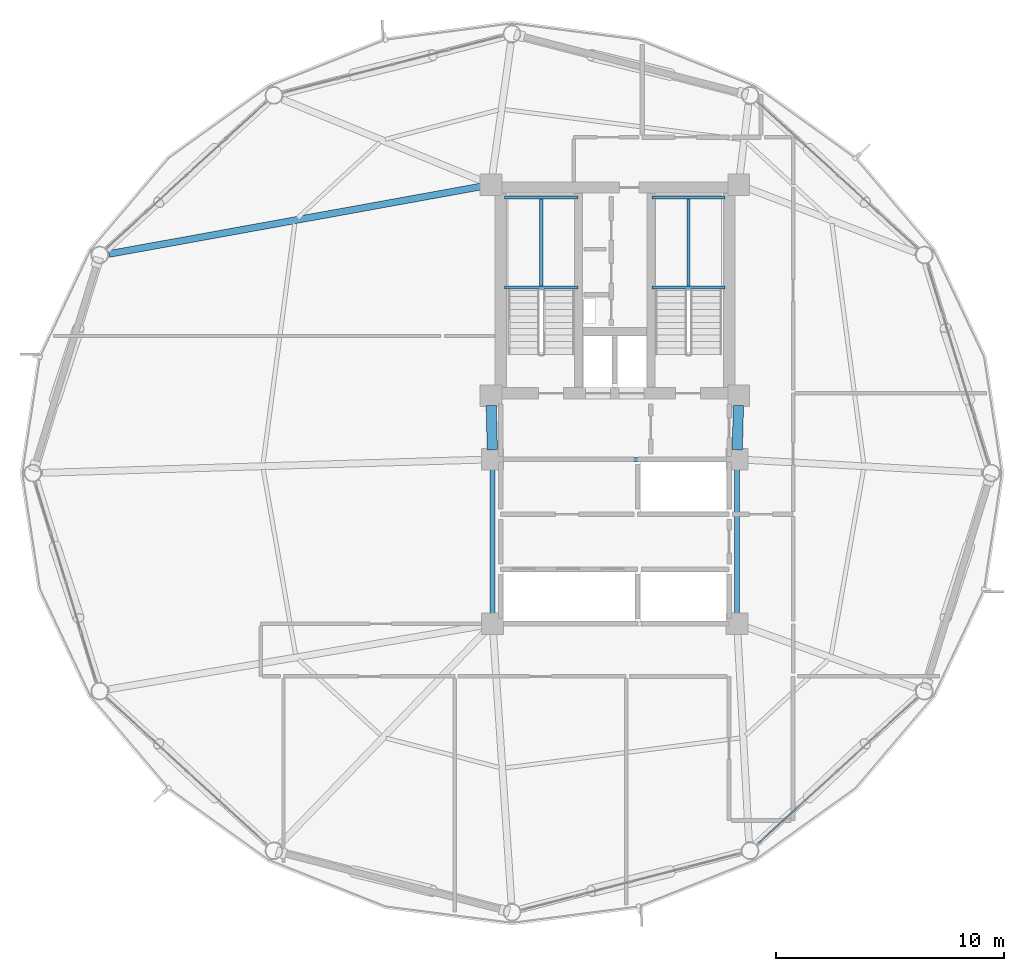
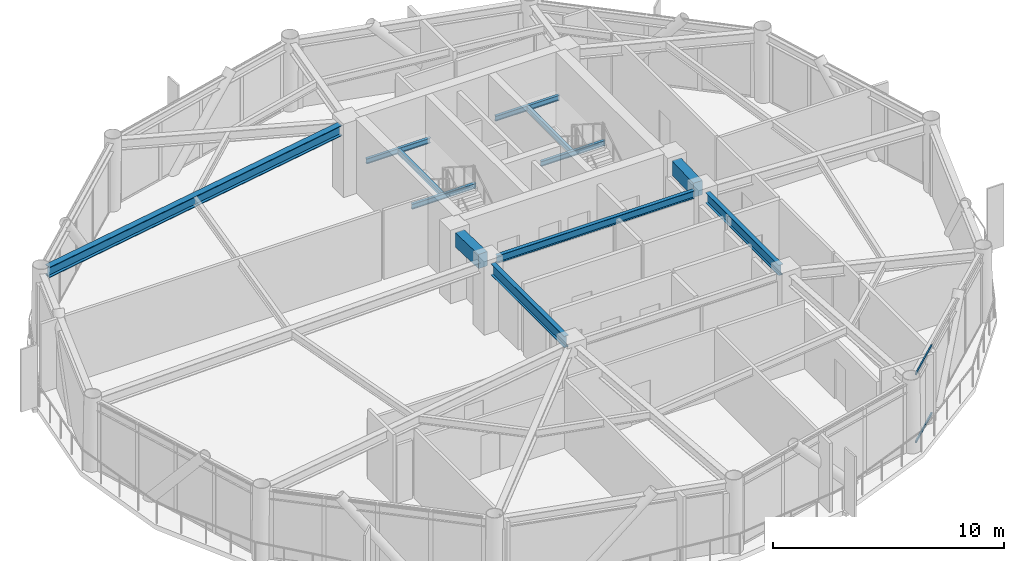
# One storey, part 12 of 26: 12 beams, 2 members, 1 element without a shape of its own.
"""IFC4 building model written with IfcOpenShell, lengths in metres."""

from ifc_helpers import new_model, si_unit, direction, frame, origin, origin_2d, place, context, subcontext, project, spatial, rectangle, hollow_rectangle, i_section, extrude, material, layer, layer_set, material_profile, profile_set, type_object, element, aggregate, save


model = new_model("IFC4")

# Units and contexts
model_context = context("Model", 3, precision=1e-05, world=origin(), true_north=direction((0.0, 1.0)))
body_context = subcontext(model_context, "Body", "Model", "MODEL_VIEW")
ifc_project = project(units=[si_unit("LENGTHUNIT", "METRE"), si_unit("AREAUNIT", "SQUARE_METRE"), si_unit("VOLUMEUNIT", "CUBIC_METRE"), si_unit("PLANEANGLEUNIT", "RADIAN"), si_unit("MASSUNIT", "GRAM", prefix="KILO")], contexts=[model_context])

# Site, building, storey
site_placement = place(None, origin())
site = spatial("IfcSite", under=ifc_project, at=site_placement, CompositionType="ELEMENT")
building_placement = place(site_placement, origin())
building = spatial("IfcBuilding", under=site, at=building_placement, Name="Varnakorn Sky Granary", CompositionType="ELEMENT")
storey_placement = place(building_placement, frame((0.0, 0.0, 138.300048828125)))
storey = spatial("IfcBuildingStorey", under=building, at=storey_placement, Name="L34", CompositionType="ELEMENT", Elevation=138.300048828125)

# Beams
ifc_material_1 = material(Name="Steel S355JR", Category="steel")
ifc_material_profile_1 = material_profile(ifc_material_1, i_section(OverallWidth=0.2099609375, OverallDepth=0.550048828125, WebThickness=0.010986328125, FlangeThickness=0.01708984375, at=origin_2d()), Name="IPE 550")
ifc_profile_set_1 = profile_set([ifc_material_profile_1], Name="Steel S355JR")
beam_type_1 = type_object("IfcBeamType", Name="BM-JST-550", PredefinedType="JOIST", material=ifc_profile_set_1)
beam_1_placement = place(storey_placement, frame((8.35009765625, 0.179931640625, 3.364990234375), z_axis=(0.0, -1.0, 0.0), x_axis=(1.0, 0.0, 0.0)))
element("IfcBeam", 1, at=beam_1_placement, inside=storey, type_object=beam_type_1, Name="Core Spine Framing Beam 4 L34", PredefinedType="JOIST", context=body_context, shape_type="SweptSolid", body=[
    extrude(i_section(OverallWidth=0.2099609375, OverallDepth=0.550048828125, WebThickness=0.010986328125, FlangeThickness=0.01708984375, at=origin_2d()), origin(), (0.0, 0.0, 1.0), 6.35986328125),
])
ifc_material_profile_2 = material_profile(ifc_material_1, i_section(OverallWidth=0.219970703125, OverallDepth=0.60009765625, WebThickness=0.011962890625, FlangeThickness=0.01904296875, at=origin_2d()), Name="IPE 600")
ifc_profile_set_2 = profile_set([ifc_material_profile_2], Name="Steel S355JR")
beam_type_2 = type_object("IfcBeamType", Name="BM-JST-600", PredefinedType="JOIST", material=ifc_profile_set_2)
beam_2_placement = place(storey_placement, frame((-2.35009765625, 0.179931640625, 3.33984375), z_axis=(0.0, -1.0, 0.0), x_axis=(1.0, 0.0, 0.0)))
element("IfcBeam", 2, at=beam_2_placement, inside=storey, type_object=beam_type_2, Name="Core Spine Framing Beam 3 L34", PredefinedType="JOIST", context=body_context, shape_type="SweptSolid", body=[
    extrude(i_section(OverallWidth=0.219970703125, OverallDepth=0.60009765625, WebThickness=0.011962890625, FlangeThickness=0.01904296875, at=origin_2d()), origin(), (0.0, 0.0, 1.0), 6.35986328125),
])
ifc_material_2 = material(Name="Concrete C60/75", Category="concrete")
ifc_material_profile_3 = material_profile(ifc_material_2, rectangle(XDim=0.449951171875, YDim=0.75, at=origin_2d()), Name="RC 450x750")
ifc_profile_set_3 = profile_set([ifc_material_profile_3], Name="Concrete C60/75")
beam_type_3 = type_object("IfcBeamType", Name="BM-LIN-750", PredefinedType="LINTEL", material=ifc_profile_set_3)
for number, where, z_axis, x_axis, name in (
    (3, (-2.409423828125, 2.960205078125, 3.264892578125), (0.025158763514, -0.999683468213, 0.0), (0.999683468213, 0.025158763514, 0.0), "Core Spine Framing Beam 1 L34"),
    (4, (8.409423828125, 2.960205078125, 3.264892578125), (-0.025158763514, -0.999683468213, 0.0), (0.999683468213, -0.025158763514, 0.0), "Core Spine Framing Beam 2 L34"),
):
    element("IfcBeam", number, at=place(storey_placement, frame(where, z_axis=z_axis, x_axis=x_axis)), inside=storey, type_object=beam_type_3, Name=name, PredefinedType="LINTEL", context=body_context, shape_type="SweptSolid", body=[
        extrude(rectangle(XDim=0.449951171875, YDim=0.75, at=origin_2d()), origin(), (0.0, 0.0, 1.0), 1.94091796875),
    ])
ifc_material_profile_4 = material_profile(ifc_material_1, i_section(OverallWidth=0.135009765625, OverallDepth=0.27001953125, WebThickness=0.006591796875, FlangeThickness=0.01025390625, at=origin_2d()), Name="IPE 270")
ifc_profile_set_4 = profile_set([ifc_material_profile_4], Name="Steel S355JR")
beam_type_4 = type_object("IfcBeamType", Name="BM-LND-270", PredefinedType="BEAM", material=ifc_profile_set_4)
for number, where, z_axis, x_axis, name in (
    (5, (-1.820068359375, 8.1201171875, 1.614990234375), (1.0, 0.0, 0.0), (0.0, 1.0, 0.0), "Stair ST-1 Landing Trimmer Beam A L34-1"),
    (6, (-1.820068359375, 12.06005859375, 1.614990234375), (1.0, 0.0, 0.0), (0.0, 1.0, 0.0), "Stair ST-1 Landing Trimmer Beam B L34-1"),
):
    element("IfcBeam", number, at=place(storey_placement, frame(where, z_axis=z_axis, x_axis=x_axis)), inside=storey, type_object=beam_type_4, Name=name, PredefinedType="BEAM", context=body_context, shape_type="SweptSolid", body=[
        extrude(i_section(OverallWidth=0.135009765625, OverallDepth=0.27001953125, WebThickness=0.006591796875, FlangeThickness=0.01025390625, at=origin_2d()), origin(), (0.0, 0.0, 1.0), 3.199951171875),
    ])
beam_3_placement = place(storey_placement, frame((-0.219970703125, 8.1201171875, 1.614990234375), z_axis=(0.0, 1.0, 0.0), x_axis=(-1.0, 0.0, 0.0)))
element("IfcBeam", 7, at=beam_3_placement, inside=storey, type_object=beam_type_4, Name="Stair ST-1 Landing Cross Beam C L34-1", PredefinedType="BEAM", context=body_context, shape_type="SweptSolid", body=[
    extrude(i_section(OverallWidth=0.135009765625, OverallDepth=0.27001953125, WebThickness=0.006591796875, FlangeThickness=0.01025390625, at=origin_2d()), origin(), (0.0, 0.0, 1.0), 3.93994140625),
])
for number, where, z_axis, x_axis, name in (
    (8, (4.6201171875, 8.1201171875, 1.614990234375), (1.0, 0.0, 0.0), (0.0, 1.0, 0.0), "Stair ST-2 Landing Trimmer Beam A L34-1"),
    (9, (4.6201171875, 12.06005859375, 1.614990234375), (1.0, 0.0, 0.0), (0.0, 1.0, 0.0), "Stair ST-2 Landing Trimmer Beam B L34-1"),
):
    element("IfcBeam", number, at=place(storey_placement, frame(where, z_axis=z_axis, x_axis=x_axis)), inside=storey, type_object=beam_type_4, Name=name, PredefinedType="BEAM", context=body_context, shape_type="SweptSolid", body=[
        extrude(i_section(OverallWidth=0.135009765625, OverallDepth=0.27001953125, WebThickness=0.006591796875, FlangeThickness=0.01025390625, at=origin_2d()), origin(), (0.0, 0.0, 1.0), 3.199951171875),
    ])
beam_4_placement = place(storey_placement, frame((6.219970703125, 8.1201171875, 1.614990234375), z_axis=(0.0, 1.0, 0.0), x_axis=(-1.0, 0.0, 0.0)))
element("IfcBeam", 10, at=beam_4_placement, inside=storey, type_object=beam_type_4, Name="Stair ST-2 Landing Cross Beam C L34-1", PredefinedType="BEAM", context=body_context, shape_type="SweptSolid", body=[
    extrude(i_section(OverallWidth=0.135009765625, OverallDepth=0.27001953125, WebThickness=0.006591796875, FlangeThickness=0.01025390625, at=origin_2d()), origin(), (0.0, 0.0, 1.0), 3.93994140625),
])
ifc_material_profile_5 = material_profile(ifc_material_1, i_section(OverallWidth=0.300048828125, OverallDepth=0.550048828125, WebThickness=0.014892578125, FlangeThickness=0.029052734375, at=origin_2d()), Name="HE 550 B")
ifc_profile_set_5 = profile_set([ifc_material_profile_5], Name="Steel S355JR")
beam_type_5 = type_object("IfcBeamType", Name="BM-RAD-Z3", PredefinedType="BEAM", material=ifc_profile_set_5)
beam_5_placement = place(storey_placement, frame((-2.833251953125, 12.545166015625, 3.364990234375), z_axis=(-0.983961483446, -0.178381050268, 0.0), x_axis=(0.178381050268, -0.983961483446, 0.0)))
element("IfcBeam", 11, at=beam_5_placement, inside=storey, type_object=beam_type_5, Name="Radial Floor Girder RG06 L34", PredefinedType="BEAM", context=body_context, shape_type="SweptSolid", body=[
    extrude(i_section(OverallWidth=0.300048828125, OverallDepth=0.550048828125, WebThickness=0.014892578125, FlangeThickness=0.029052734375, at=origin_2d()), origin(), (0.0, 0.0, 1.0), 16.5703125),
])
ifc_material_profile_6 = material_profile(ifc_material_1, i_section(OverallWidth=0.179931640625, OverallDepth=0.39990234375, WebThickness=0.008544921875, FlangeThickness=0.013427734375, at=origin_2d()), Name="IPE 400")
ifc_profile_set_6 = profile_set([ifc_material_profile_6], Name="Steel S355JR")
beam_type_6 = type_object("IfcBeamType", Name="BM-SEC-Z3", PredefinedType="BEAM", material=ifc_profile_set_6)
beam_6_placement = place(storey_placement, frame((-1.929931640625, 0.60009765625, 3.43994140625), z_axis=(1.0, 0.0, 0.0), x_axis=(0.0, 1.0, 0.0)))
element("IfcBeam", 12, at=beam_6_placement, inside=storey, type_object=beam_type_6, Name="Core Spine Framing Beam 5 L34", PredefinedType="BEAM", context=body_context, shape_type="SweptSolid", body=[
    extrude(i_section(OverallWidth=0.179931640625, OverallDepth=0.39990234375, WebThickness=0.008544921875, FlangeThickness=0.013427734375, at=origin_2d()), origin(), (0.0, 0.0, 1.0), 9.85986328125),
])

# Curtain wall, members
ifc_material_3 = material(Name="Anodised Bronze Aluminium Alloy 6063-T6", Category="aluminium")
ifc_layer = layer(ifc_material_3, 0.179931640625, Name="Anodised Bronze Aluminium Alloy 6063-T6")
ifc_layer_set = layer_set([ifc_layer], Name="Anodised Bronze Aluminium Alloy 6063-T6")
curtain_wall_type = type_object("IfcCurtainWallType", Name="CW-FRM-2", PredefinedType="USERDEFINED", material=ifc_layer_set)
curtain_wall_placement = place(storey_placement, origin())
curtain_wall = element("IfcCurtainWall", 13, at=curtain_wall_placement, inside=storey, type_object=curtain_wall_type, Name="Unitised Curtain Wall CW4 CW-L34-B11", ObjectType="CURTAIN WALL", PredefinedType="USERDEFINED")
ifc_material_profile_7 = material_profile(ifc_material_3, hollow_rectangle(XDim=0.06494140625, YDim=0.1201171875, WallThickness=0.00341796875, at=origin_2d()), Name="ALU TRAN 65x120")
ifc_profile_set_7 = profile_set([ifc_material_profile_7], Name="Anodised Bronze Aluminium Alloy 6063-T6")
member_type = type_object("IfcMemberType", Name="CW-FRM-2-TRAN", PredefinedType="USERDEFINED", material=ifc_profile_set_7)
member_1_placement = place(storey_placement, frame((10.968505859375, -14.664794921875, 0.032470703125), z_axis=(-0.737409502372, -0.675445945885, 0.0), x_axis=(0.675445945885, -0.737409502372, 0.0)))
member_1 = element("IfcMember", 14, at=member_1_placement, type_object=member_type, Name="CW4 transom 4.1", ObjectType="TRANSOM", PredefinedType="USERDEFINED", context=body_context, shape_type="SweptSolid", body=[
    extrude(hollow_rectangle(XDim=0.06494140625, YDim=0.1201171875, WallThickness=0.00341796875, at=origin_2d()), origin(), (0.0, 0.0, 1.0), 2.26171875),
])
member_2_placement = place(storey_placement, frame((10.968505859375, -14.664794921875, 3.607421875), z_axis=(-0.737409502372, -0.675445945885, 0.0), x_axis=(0.675445945885, -0.737409502372, 0.0)))
member_2 = element("IfcMember", 15, at=member_2_placement, type_object=member_type, Name="CW4 transom 4.2", ObjectType="TRANSOM", PredefinedType="USERDEFINED", context=body_context, shape_type="SweptSolid", body=[
    extrude(hollow_rectangle(XDim=0.06494140625, YDim=0.1201171875, WallThickness=0.00341796875, at=origin_2d()), origin(), (0.0, 0.0, 1.0), 2.26171875),
])
aggregate(curtain_wall, [member_1, member_2])

save(model, "model.ifc")
